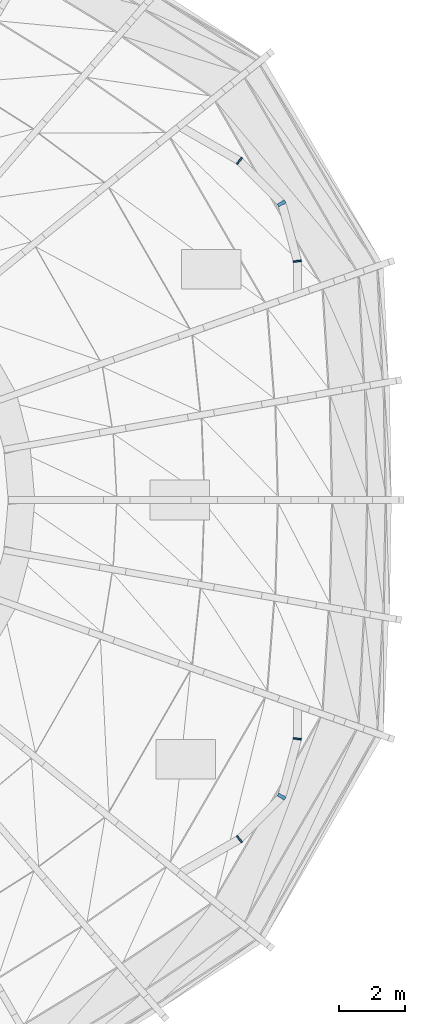
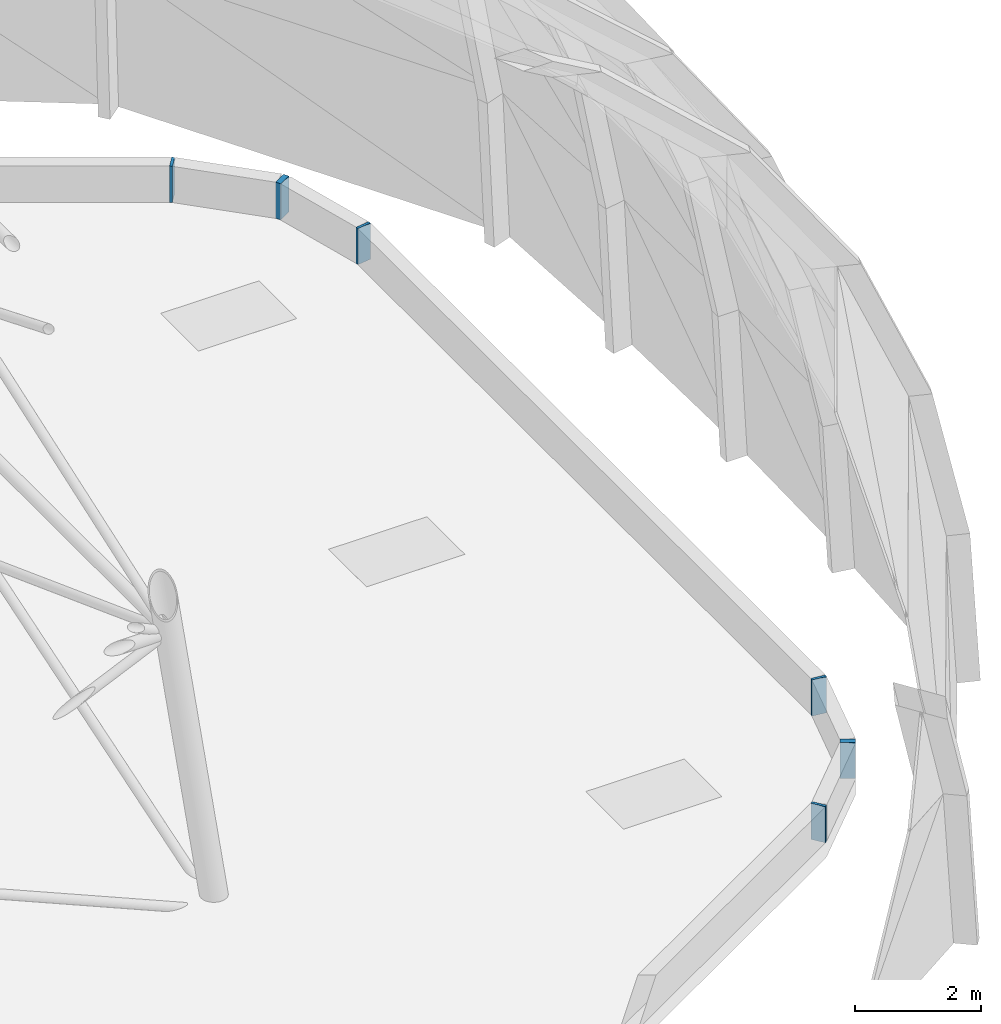
# One storey, part 5 of 27: 6 walls.
"""IFC4 building model written with IfcOpenShell, lengths in metres."""

from ifc_helpers import new_model, si_unit, direction, frame, frame_2d, origin, place, context, subcontext, project, spatial, rectangle, extrude, material, layer, layer_set, type_object, element, save


model = new_model("IFC4")

# Units and contexts
model_context = context("Model", 3, precision=1e-05, world=origin(), true_north=direction((0.0, 1.0)))
body_context = subcontext(model_context, "Body", "Model", "MODEL_VIEW")
ifc_project = project(units=[si_unit("LENGTHUNIT", "METRE"), si_unit("AREAUNIT", "SQUARE_METRE"), si_unit("VOLUMEUNIT", "CUBIC_METRE"), si_unit("PLANEANGLEUNIT", "RADIAN"), si_unit("MASSUNIT", "GRAM", prefix="KILO")], contexts=[model_context])

# Site, building, storey
site_placement = place(None, origin())
site = spatial("IfcSite", under=ifc_project, at=site_placement, CompositionType="ELEMENT")
building_placement = place(site_placement, origin())
building = spatial("IfcBuilding", under=site, at=building_placement, Name="Ayvan Gate Tower", CompositionType="ELEMENT")
storey_placement = place(building_placement, frame((0.0, 0.0, 267.699951171875)))
storey = spatial("IfcBuildingStorey", under=building, at=storey_placement, Name="Roof", CompositionType="ELEMENT", Elevation=267.699951171875)

# Walls
ifc_material = material(Name="Pale metal cladding on insulated wall")
ifc_layer = layer(ifc_material, 0.25)
ifc_layer_set = layer_set([ifc_layer], Name="Pale metal cladding on insulated wall")
wall_type = type_object("IfcWallType", Name="Parapet wall 250", PredefinedType="PARAPET", material=ifc_layer_set)
wall_1_placement = place(storey_placement, frame((15.76513671875, -10.26171875, 0.300048828125), z_axis=(0.0, 0.0, 1.0), x_axis=(0.793365367908, 0.608745753992, 0.0)))
element("IfcWall", 1, at=wall_1_placement, inside=storey, type_object=wall_type, Name="EW:parapet:24", PredefinedType="PARAPET", context=body_context, shape_type="SweptSolid", body=[
    extrude(rectangle(XDim=0.048828125, YDim=0.25, at=frame_2d((0.0244140625, 0.0))), origin(), (0.0, 0.0, 1.0), 0.699951171875),
])
wall_2_placement = place(storey_placement, frame((17.032958984375, -9.0029296875, 0.300048828125), z_axis=(0.0, 0.0, 1.0), x_axis=(0.501036270542, 0.865426285481, 0.0)))
element("IfcWall", 2, at=wall_2_placement, inside=storey, type_object=wall_type, Name="EW:parapet:26", PredefinedType="PARAPET", context=body_context, shape_type="SweptSolid", body=[
    extrude(rectangle(XDim=0.096435546875, YDim=0.25, at=frame_2d((0.04833984375, 0.0))), origin(), (0.0, 0.0, 1.0), 0.699951171875),
])
for number, where, z_axis, x_axis, name in (
    (3, (17.531005859375, -7.240478515625, 0.300048828125), (0.0, 0.0, 1.0), (0.135113204733, 0.990830168044, 0.0), "EW:parapet:28"),
    (4, (17.53759765625, 7.192138671875, 0.300048828125), (0.0, 0.0, 1.0), (-0.135113204733, 0.990830168044, 0.0), "EW:parapet:30"),
):
    element("IfcWall", number, at=place(storey_placement, frame(where, z_axis=z_axis, x_axis=x_axis)), inside=storey, type_object=wall_type, Name=name, PredefinedType="PARAPET", context=body_context, shape_type="SweptSolid", body=[
        extrude(rectangle(XDim=0.048828125, YDim=0.25, at=frame_2d((0.0244140625, 0.0))), origin(), (0.0, 0.0, 1.0), 0.699951171875),
    ])
wall_3_placement = place(storey_placement, frame((17.081298828125, 8.91943359375, 0.300048828125), z_axis=(0.0, 0.0, 1.0), x_axis=(-0.501036270542, 0.865426285481, 0.0)))
element("IfcWall", 5, at=wall_3_placement, inside=storey, type_object=wall_type, Name="EW:parapet:32", PredefinedType="PARAPET", context=body_context, shape_type="SweptSolid", body=[
    extrude(rectangle(XDim=0.096435546875, YDim=0.25, at=frame_2d((0.04833984375, 0.0))), origin(), (0.0, 0.0, 1.0), 0.699951171875),
])
wall_4_placement = place(storey_placement, frame((15.803955078125, 10.23193359375, 0.300048828125), z_axis=(0.0, 0.0, 1.0), x_axis=(-0.793365367908, 0.608745753992, 0.0)))
element("IfcWall", 6, at=wall_4_placement, inside=storey, type_object=wall_type, Name="EW:parapet:34", PredefinedType="PARAPET", context=body_context, shape_type="SweptSolid", body=[
    extrude(rectangle(XDim=0.048828125, YDim=0.25, at=frame_2d((0.0244140625, 0.0))), origin(), (0.0, 0.0, 1.0), 0.699951171875),
])

save(model, "model.ifc")
